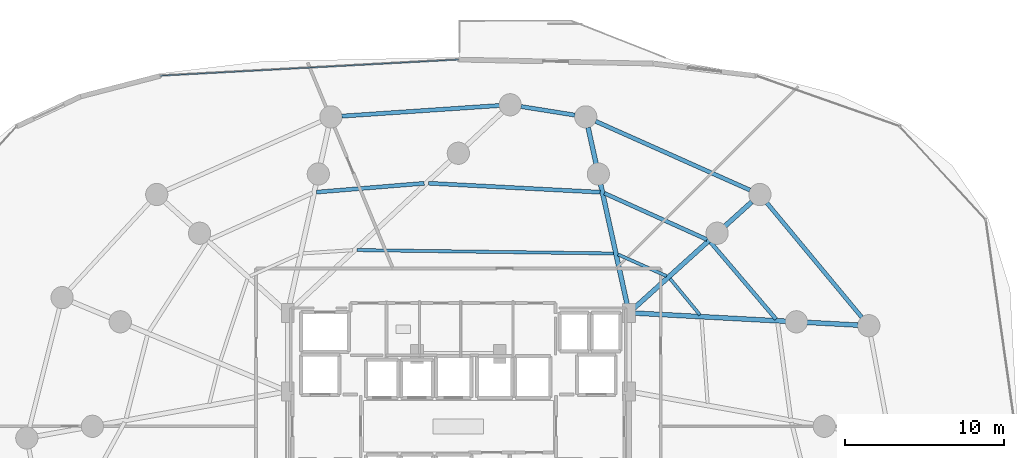
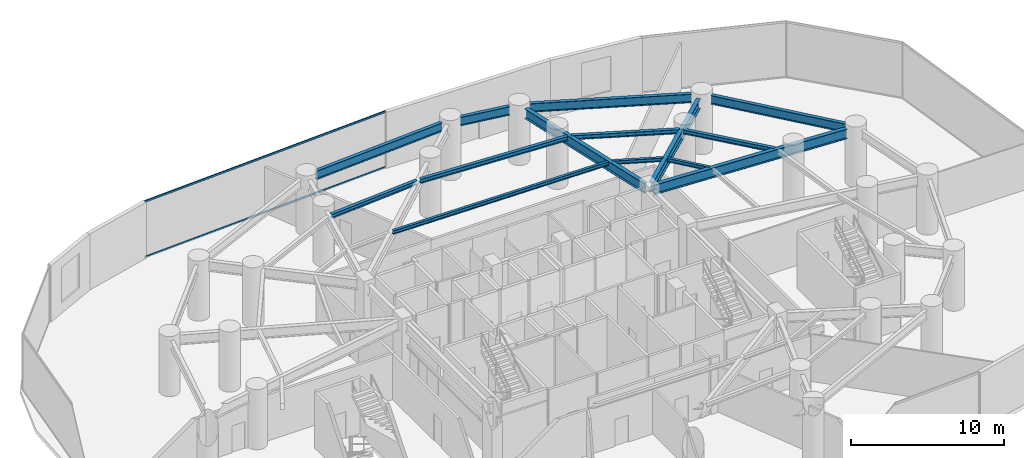
# One storey, part 17 of 30: 14 beams, 2 members, 1 element without a shape of its own.
"""IFC4 building model written with IfcOpenShell, lengths in metres."""

from ifc_helpers import new_model, si_unit, direction, frame, origin, origin_2d, place, context, subcontext, project, spatial, hollow_rectangle, i_section, extrude, material, material_profile, profile_set, type_object, element, aggregate, save


model = new_model("IFC4")

# Units and contexts
model_context = context("Model", 3, precision=1e-05, world=origin(), true_north=direction((0.0, 1.0)))
body_context = subcontext(model_context, "Body", "Model", "MODEL_VIEW")
ifc_project = project(units=[si_unit("LENGTHUNIT", "METRE"), si_unit("AREAUNIT", "SQUARE_METRE"), si_unit("VOLUMEUNIT", "CUBIC_METRE"), si_unit("PLANEANGLEUNIT", "RADIAN"), si_unit("MASSUNIT", "GRAM", prefix="KILO")], contexts=[model_context])

# Site, building, storey
site_placement = place(None, origin())
site = spatial("IfcSite", under=ifc_project, at=site_placement, CompositionType="ELEMENT")
building_placement = place(site_placement, origin())
building = spatial("IfcBuilding", under=site, at=building_placement, Name="Vorneva Point Tower", CompositionType="ELEMENT")
storey_placement = place(building_placement, frame((0.0, 0.0, 9.60009765625)))
storey = spatial("IfcBuildingStorey", under=building, at=storey_placement, Name="L02", CompositionType="ELEMENT", Elevation=9.60009765625)

# Beams
ifc_material_1 = material(Name="Steel S355", Category="steel")
ifc_material_profile_1 = material_profile(ifc_material_1, i_section(OverallWidth=0.300048828125, OverallDepth=0.7880859375, WebThickness=0.014404296875, FlangeThickness=0.02197265625, at=origin_2d()), Name="80Sh1")
ifc_profile_set_1 = profile_set([ifc_material_profile_1], Name="Steel S355")
beam_type_1 = type_object("IfcBeamType", Name="BM-GRD-80Sh1", PredefinedType="USERDEFINED", material=ifc_profile_set_1)
beam_1_placement = place(storey_placement, frame((63.16748046875, 32.373779296875, 4.0859375), z_axis=(-0.998554305988, 0.053752190586, 0.0), x_axis=(-0.053752190586, -0.998554305988, 0.0)))
element("IfcBeam", 1, at=beam_1_placement, inside=storey, type_object=beam_type_1, Name="L02 Radial Primary Girder 02", ObjectType="GIRDER", PredefinedType="USERDEFINED", context=body_context, shape_type="SweptSolid", body=[
    extrude(i_section(OverallWidth=0.300048828125, OverallDepth=0.7880859375, WebThickness=0.014404296875, FlangeThickness=0.02197265625, at=origin_2d()), origin(), (0.0, 0.0, 1.0), 14.09814453125),
])
beam_2_placement = place(storey_placement, frame((56.48681640625, 40.138671875, 4.0859375), z_axis=(-0.742080891711, -0.670310338692, 0.0), x_axis=(0.670310338692, -0.742080891711, 0.0)))
element("IfcBeam", 2, at=beam_2_placement, inside=storey, type_object=beam_type_1, Name="L02 Radial Primary Girder 03", ObjectType="GIRDER", PredefinedType="USERDEFINED", context=body_context, shape_type="SweptSolid", body=[
    extrude(i_section(OverallWidth=0.300048828125, OverallDepth=0.7880859375, WebThickness=0.014404296875, FlangeThickness=0.02197265625, at=origin_2d()), origin(), (0.0, 0.0, 1.0), 10.0859375),
])
beam_3_placement = place(storey_placement, frame((46.174560546875, 44.81982421875, 4.0859375), z_axis=(0.215507553279, -0.97650217331, 0.0), x_axis=(0.97650217331, 0.215507553279, 0.0)))
element("IfcBeam", 3, at=beam_3_placement, inside=storey, type_object=beam_type_1, Name="L02 Radial Primary Girder 04", ObjectType="GIRDER", PredefinedType="USERDEFINED", context=body_context, shape_type="SweptSolid", body=[
    extrude(i_section(OverallWidth=0.300048828125, OverallDepth=0.7880859375, WebThickness=0.014404296875, FlangeThickness=0.02197265625, at=origin_2d()), origin(), (0.0, 0.0, 1.0), 11.610595703125),
])
ifc_material_profile_2 = material_profile(ifc_material_1, i_section(OverallWidth=0.199951171875, OverallDepth=0.291015625, WebThickness=0.008056640625, FlangeThickness=0.010986328125, at=origin_2d()), Name="30Sh1")
ifc_profile_set_2 = profile_set([ifc_material_profile_2], Name="Steel S355")
beam_type_2 = type_object("IfcBeamType", Name="BM-SEC-30Sh1", PredefinedType="BEAM", material=ifc_profile_set_2)
beam_4_placement = place(storey_placement, frame((53.22509765625, 33.0107421875, 4.33447265625), z_axis=(-0.63661783894, 0.771179439005, 0.0), x_axis=(-0.771179439005, -0.63661783894, 0.0)))
element("IfcBeam", 4, at=beam_4_placement, inside=storey, type_object=beam_type_2, Name="L02 Secondary Floor Beam 2.02", PredefinedType="BEAM", context=body_context, shape_type="SweptSolid", body=[
    extrude(i_section(OverallWidth=0.199951171875, OverallDepth=0.291015625, WebThickness=0.008056640625, FlangeThickness=0.010986328125, at=origin_2d()), origin(), (0.0, 0.0, 1.0), 2.96826171875),
])
beam_5_placement = place(storey_placement, frame((51.12158203125, 35.462158203125, 4.33447265625), z_axis=(-0.913703632342, 0.40638119081, 0.0), x_axis=(-0.40638119081, -0.913703632342, 0.0)))
element("IfcBeam", 5, at=beam_5_placement, inside=storey, type_object=beam_type_2, Name="L02 Secondary Floor Beam 2.03", PredefinedType="BEAM", context=body_context, shape_type="SweptSolid", body=[
    extrude(i_section(OverallWidth=0.199951171875, OverallDepth=0.291015625, WebThickness=0.008056640625, FlangeThickness=0.010986328125, at=origin_2d()), origin(), (0.0, 0.0, 1.0), 3.359375),
])
beam_6_placement = place(storey_placement, frame((47.7880859375, 36.88525390625, 4.33447265625), z_axis=(-0.999911372306, 0.013313434331, 0.0), x_axis=(-0.013313434331, -0.999911372306, 0.0)))
element("IfcBeam", 6, at=beam_6_placement, inside=storey, type_object=beam_type_2, Name="L02 Secondary Floor Beam 2.04", PredefinedType="BEAM", context=body_context, shape_type="SweptSolid", body=[
    extrude(i_section(OverallWidth=0.199951171875, OverallDepth=0.291015625, WebThickness=0.008056640625, FlangeThickness=0.010986328125, at=origin_2d()), origin(), (0.0, 0.0, 1.0), 16.174072265625),
])
ifc_material_profile_3 = material_profile(ifc_material_1, i_section(OverallWidth=0.2490234375, OverallDepth=0.333984375, WebThickness=0.008056640625, FlangeThickness=0.010986328125, at=origin_2d()), Name="35Sh1")
ifc_profile_set_3 = profile_set([ifc_material_profile_3], Name="Steel S355")
beam_type_3 = type_object("IfcBeamType", Name="BM-SEC-35Sh1", PredefinedType="BEAM", material=ifc_profile_set_3)
beam_7_placement = place(storey_placement, frame((58.010009765625, 32.751708984375, 4.31298828125), z_axis=(-0.648328193553, 0.761360987603, 0.0), x_axis=(-0.761360987603, -0.648328193553, 0.0)))
element("IfcBeam", 7, at=beam_7_placement, inside=storey, type_object=beam_type_3, Name="L02 Secondary Floor Beam 1.02", PredefinedType="BEAM", context=body_context, shape_type="SweptSolid", body=[
    extrude(i_section(OverallWidth=0.2490234375, OverallDepth=0.333984375, WebThickness=0.008056640625, FlangeThickness=0.010986328125, at=origin_2d()), origin(), (0.0, 0.0, 1.0), 6.367431640625),
])
beam_8_placement = place(storey_placement, frame((53.66650390625, 37.761474609375, 4.31298828125), z_axis=(-0.911365602495, 0.411597787397, 0.0), x_axis=(-0.411597787397, -0.911365602495, 0.0)))
element("IfcBeam", 8, at=beam_8_placement, inside=storey, type_object=beam_type_3, Name="L02 Secondary Floor Beam 1.03", PredefinedType="BEAM", context=body_context, shape_type="SweptSolid", body=[
    extrude(i_section(OverallWidth=0.2490234375, OverallDepth=0.333984375, WebThickness=0.008056640625, FlangeThickness=0.010986328125, at=origin_2d()), origin(), (0.0, 0.0, 1.0), 7.093994140625),
])
beam_9_placement = place(storey_placement, frame((46.9375, 40.745361328125, 4.31298828125), z_axis=(-0.998633048383, 0.052268869107, 0.0), x_axis=(-0.052268869107, -0.998633048383, 0.0)))
element("IfcBeam", 9, at=beam_9_placement, inside=storey, type_object=beam_type_3, Name="L02 Secondary Floor Beam 1.04", PredefinedType="BEAM", context=body_context, shape_type="SweptSolid", body=[
    extrude(i_section(OverallWidth=0.2490234375, OverallDepth=0.333984375, WebThickness=0.008056640625, FlangeThickness=0.010986328125, at=origin_2d()), origin(), (0.0, 0.0, 1.0), 10.8271484375),
])
beam_10_placement = place(storey_placement, frame((35.849853515625, 41.30712890625, 4.31298828125), z_axis=(-0.996642480043, -0.081876534941, 0.0), x_axis=(0.081876534941, -0.996642480043, 0.0)))
element("IfcBeam", 10, at=beam_10_placement, inside=storey, type_object=beam_type_3, Name="L02 Secondary Floor Beam 1.05", PredefinedType="BEAM", context=body_context, shape_type="SweptSolid", body=[
    extrude(i_section(OverallWidth=0.2490234375, OverallDepth=0.333984375, WebThickness=0.008056640625, FlangeThickness=0.010986328125, at=origin_2d()), origin(), (0.0, 0.0, 1.0), 6.810546875),
])
ifc_material_profile_4 = material_profile(ifc_material_1, i_section(OverallWidth=0.260009765625, OverallDepth=0.69091796875, WebThickness=0.011962890625, FlangeThickness=0.015380859375, at=origin_2d()), Name="70B1")
ifc_profile_set_4 = profile_set([ifc_material_profile_4], Name="Steel S355")
beam_type_4 = type_object("IfcBeamType", Name="BM-SPN-70B1", PredefinedType="SPANDREL", material=ifc_profile_set_4)
beam_11_placement = place(storey_placement, frame((63.4169921875, 32.86376953125, 4.134521484375), z_axis=(-0.638588560604, 0.769548341734, 0.0), x_axis=(-0.769548341734, -0.638588560604, 0.0)))
element("IfcBeam", 11, at=beam_11_placement, inside=storey, type_object=beam_type_4, Name="L02 Perimeter Spandrel Ring Beam 02", PredefinedType="SPANDREL", context=body_context, shape_type="SweptSolid", body=[
    extrude(i_section(OverallWidth=0.260009765625, OverallDepth=0.69091796875, WebThickness=0.011962890625, FlangeThickness=0.015380859375, at=origin_2d()), origin(), (0.0, 0.0, 1.0), 9.367919921875),
])
beam_12_placement = place(storey_placement, frame((56.371826171875, 40.87890625, 4.134521484375), z_axis=(-0.913331288807, 0.407217333725, 0.0), x_axis=(-0.407217333725, -0.913331288807, 0.0)))
element("IfcBeam", 12, at=beam_12_placement, inside=storey, type_object=beam_type_4, Name="L02 Perimeter Spandrel Ring Beam 03", PredefinedType="SPANDREL", context=body_context, shape_type="SweptSolid", body=[
    extrude(i_section(OverallWidth=0.260009765625, OverallDepth=0.69091796875, WebThickness=0.011962890625, FlangeThickness=0.015380859375, at=origin_2d()), origin(), (0.0, 0.0, 1.0), 10.642333984375),
])
beam_13_placement = place(storey_placement, frame((45.349853515625, 45.599609375, 4.134521484375), z_axis=(-0.987471068592, 0.157800154289, 0.0), x_axis=(-0.157800154289, -0.987471068592, 0.0)))
element("IfcBeam", 13, at=beam_13_placement, inside=storey, type_object=beam_type_4, Name="L02 Perimeter Spandrel Ring Beam 04", PredefinedType="SPANDREL", context=body_context, shape_type="SweptSolid", body=[
    extrude(i_section(OverallWidth=0.260009765625, OverallDepth=0.69091796875, WebThickness=0.011962890625, FlangeThickness=0.015380859375, at=origin_2d()), origin(), (0.0, 0.0, 1.0), 3.45166015625),
])
beam_14_placement = place(storey_placement, frame((40.581787109375, 46.206298828125, 4.134521484375), z_axis=(-0.997737774229, -0.067225991085, 0.0), x_axis=(0.067225991085, -0.997737774229, 0.0)))
element("IfcBeam", 14, at=beam_14_placement, inside=storey, type_object=beam_type_4, Name="L02 Perimeter Spandrel Ring Beam 05", PredefinedType="SPANDREL", context=body_context, shape_type="SweptSolid", body=[
    extrude(i_section(OverallWidth=0.260009765625, OverallDepth=0.69091796875, WebThickness=0.011962890625, FlangeThickness=0.015380859375, at=origin_2d()), origin(), (0.0, 0.0, 1.0), 9.947021484375),
])

# Curtain wall, members
ifc_material_2 = material(Name="Pale anodised aluminium", Category="aluminium")
curtain_wall_type = type_object("IfcCurtainWallType", Name="CW-POD-SYS", PredefinedType="NOTDEFINED", material=ifc_material_2)
curtain_wall_placement = place(storey_placement, origin())
curtain_wall = element("IfcCurtainWall", 15, at=curtain_wall_placement, inside=storey, type_object=curtain_wall_type, Name="L02 Unitised Curtain Wall CW-L02-R02", PredefinedType="NOTDEFINED")
ifc_material_profile_5 = material_profile(ifc_material_2, hollow_rectangle(XDim=0.074951171875, YDim=0.14990234375, WallThickness=0.00390625, at=origin_2d()), Name="AL-TRN 150x75x4")
ifc_profile_set_5 = profile_set([ifc_material_profile_5], Name="Pale anodised aluminium")
member_type = type_object("IfcMemberType", Name="CW-TRN-150", PredefinedType="USERDEFINED", material=ifc_profile_set_5)
member_1_placement = place(storey_placement, frame((38.0, 49.098388671875, 0.02001953125), z_axis=(-0.998531897343, -0.054166871696, 0.0), x_axis=(0.054166871696, -0.998531897343, 0.0)))
member_1 = element("IfcMember", 16, at=member_1_placement, type_object=member_type, Name="CW-L02-R02 Transom 01.1", ObjectType="TRANSOM", PredefinedType="USERDEFINED", context=body_context, shape_type="SweptSolid", body=[
    extrude(hollow_rectangle(XDim=0.074951171875, YDim=0.14990234375, WallThickness=0.00390625, at=origin_2d()), origin(), (0.0, 0.0, 1.0), 18.781494140625),
])
member_2_placement = place(storey_placement, frame((38.0, 49.098388671875, 4.4599609375), z_axis=(-0.998531897343, -0.054166871696, 0.0), x_axis=(0.054166871696, -0.998531897343, 0.0)))
member_2 = element("IfcMember", 17, at=member_2_placement, type_object=member_type, Name="CW-L02-R02 Transom 01.2", ObjectType="TRANSOM", PredefinedType="USERDEFINED", context=body_context, shape_type="SweptSolid", body=[
    extrude(hollow_rectangle(XDim=0.074951171875, YDim=0.14990234375, WallThickness=0.00390625, at=origin_2d()), origin(), (0.0, 0.0, 1.0), 18.781494140625),
])
aggregate(curtain_wall, [member_1, member_2])

save(model, "model.ifc")
